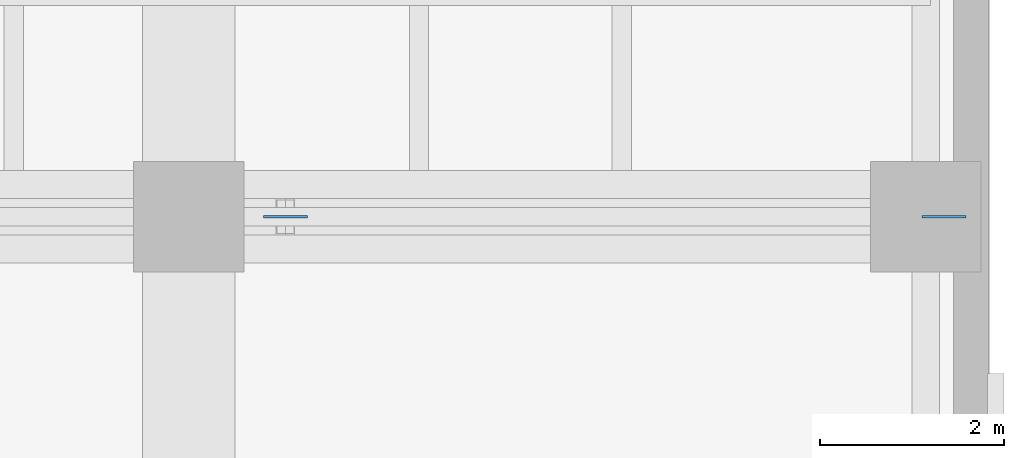
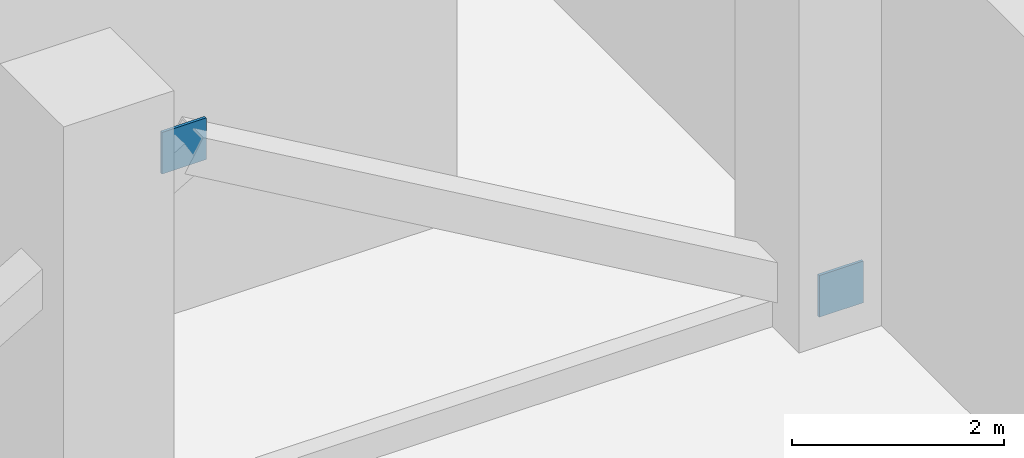
# One storey, part 6 of 13: 2 plates.
"""IFC4 building model written with IfcOpenShell, lengths in metres."""

from ifc_helpers import new_model, si_unit, direction, frame, origin, origin_2d, place, context, subcontext, project, spatial, rectangle, extrude, material, layer, layer_set, type_object, element, save


model = new_model("IFC4")

# Units and contexts
model_context = context("Model", 3, precision=1e-05, world=origin(), true_north=direction((0.0, 1.0)))
body_context = subcontext(model_context, "Body", "Model", "MODEL_VIEW")
ifc_project = project(units=[si_unit("LENGTHUNIT", "METRE"), si_unit("AREAUNIT", "SQUARE_METRE"), si_unit("VOLUMEUNIT", "CUBIC_METRE"), si_unit("PLANEANGLEUNIT", "RADIAN"), si_unit("MASSUNIT", "GRAM", prefix="KILO")], contexts=[model_context])

# Site, building, storey
site_placement = place(None, origin())
site = spatial("IfcSite", under=ifc_project, at=site_placement, CompositionType="ELEMENT")
building_placement = place(site_placement, origin())
building = spatial("IfcBuilding", under=site, at=building_placement, Name="Kranthara Brick Stack", CompositionType="ELEMENT")
storey_placement = place(building_placement, frame((0.0, 0.0, 18.89990234375)))
storey = spatial("IfcBuildingStorey", under=building, at=storey_placement, Name="L04", CompositionType="ELEMENT", Elevation=18.89990234375)

# Plates
ifc_material = material(Name="Steel S355", Category="steel")
ifc_layer = layer(ifc_material, 0.030029296875)
ifc_layer_set = layer_set([ifc_layer], Name="Steel S355")
plate_type = type_object("IfcPlateType", Name="PLT-GUSSET-30", PredefinedType="USERDEFINED", material=ifc_layer_set)
for number, where, z_axis, x_axis, name in (
    (1, (50.35009765625, 33.60009765625, 4.010009765625), (0.0, 0.0, 1.0), (1.0, 0.0, 0.0), "L04 Brace and Strut End Connection Gusset Plate 138"),
    (2, (57.5, 33.60009765625, -0.139892578125), (0.0, 0.0, 1.0), (1.0, 0.0, 0.0), "L04 Brace and Strut End Connection Gusset Plate 142"),
):
    element("IfcPlate", number, at=place(storey_placement, frame(where, z_axis=z_axis, x_axis=x_axis)), inside=storey, type_object=plate_type, Name=name, ObjectType="GUSSET PLATE", PredefinedType="USERDEFINED", context=body_context, shape_type="SweptSolid", body=[
        extrude(rectangle(XDim=0.47998046875, YDim=0.030029296875, at=origin_2d()), origin(), (0.0, 0.0, 1.0), 0.47998046875),
    ])

save(model, "model.ifc")
